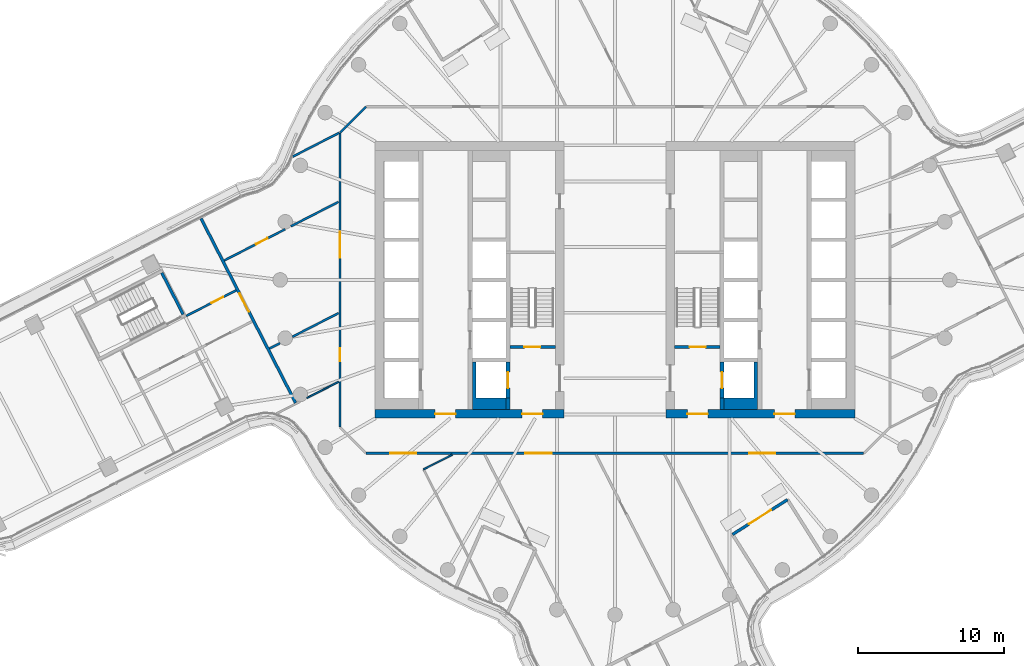
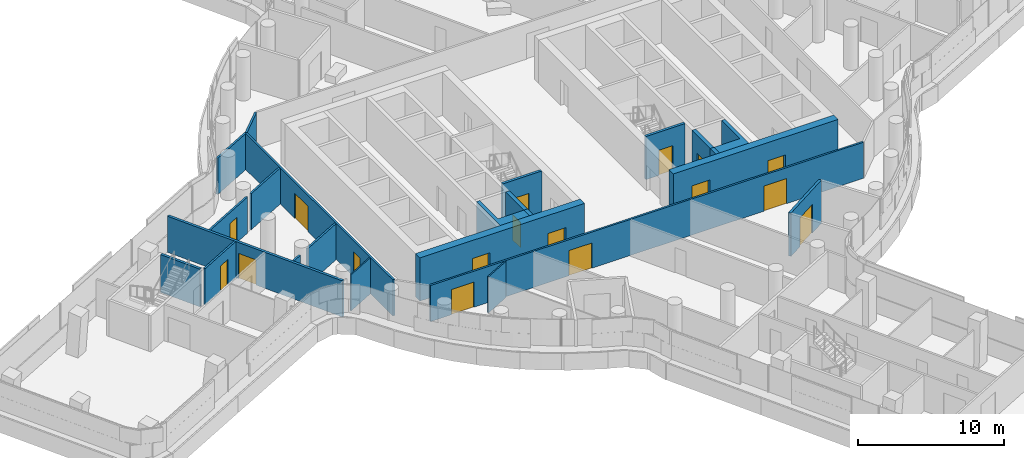
# One storey, part 23 of 37: 24 walls, 17 doors, 17 openings.
"""IFC4 building model written with IfcOpenShell, lengths in metres."""

from ifc_helpers import new_model, si_unit, direction, frame, frame_2d, origin, place, context, subcontext, project, spatial, polyline, rectangle, outline, extrude, material, layer, layer_set, type_object, element, fill, save


model = new_model("IFC4")

# Units and contexts
model_context = context("Model", 3, precision=1e-05, world=origin(), true_north=direction((0.0, 1.0)))
body_context = subcontext(model_context, "Body", "Model", "MODEL_VIEW")
ifc_project = project(units=[si_unit("LENGTHUNIT", "METRE"), si_unit("AREAUNIT", "SQUARE_METRE"), si_unit("VOLUMEUNIT", "CUBIC_METRE"), si_unit("PLANEANGLEUNIT", "RADIAN"), si_unit("MASSUNIT", "GRAM", prefix="KILO")], contexts=[model_context])

# Site, building, storey
site_placement = place(None, origin())
site = spatial("IfcSite", under=ifc_project, at=site_placement, CompositionType="ELEMENT")
building_placement = place(site_placement, origin())
building = spatial("IfcBuilding", under=site, at=building_placement, Name="Tamarind Cross Interchange Tower", CompositionType="ELEMENT")
storey_placement = place(building_placement, frame((0.0, 0.0, 133.0)))
storey = spatial("IfcBuildingStorey", under=building, at=storey_placement, Name="L32", CompositionType="ELEMENT", Elevation=133.0)

# Wall, opening, door
ifc_material_1 = material(Name="Concrete C40", Category="concrete")
ifc_layer_1 = layer(ifc_material_1, 0.199951171875)
ifc_layer_set_1 = layer_set([ifc_layer_1], Name="Concrete C40")
wall_type_1 = type_object("IfcWallType", Name="Balcony and garden door wall", PredefinedType="SOLIDWALL", material=ifc_layer_set_1)
wall_1_placement = place(storey_placement, frame((8.0732421875, -17.48193359375, 0.0), z_axis=(0.0, 0.0, 1.0), x_axis=(0.845417528595, 0.534105984187, 0.0)))
wall_1 = element("IfcWall", 1, at=wall_1_placement, inside=storey, type_object=wall_type_1, Name="EXW-L32-WG-L32-SE", PredefinedType="SOLIDWALL", context=body_context, shape_type="SweptSolid", body=[
    extrude(rectangle(XDim=4.470947265625, YDim=0.199951171875, at=frame_2d((2.2353515625, 0.0))), origin(), (0.0, 0.0, 1.0), 3.610107421875),
])
opening_1_placement = place(wall_1_placement, frame((1.33544921875, 0.0, 0.0)))
opening_1 = element("IfcOpeningElement", 2, at=opening_1_placement, cuts=wall_1, Name="Opening D5", PredefinedType="OPENING", context=body_context, shape_type="SweptSolid", body=[
    extrude(rectangle(XDim=1.800048828125, YDim=2.39990234375, at=frame_2d((0.89990234375, 1.199951171875))), frame((0.0, 0.10986328125, 0.0), z_axis=(0.0, -1.0, 0.0), x_axis=(1.0, 0.0, 0.0)), (0.0, 0.0, 1.0), 0.219970703125),
])
ifc_material_2 = material(Name="Aluminium and toughened glass", Category="aluminium")
door_type_1 = type_object("IfcDoorType", Name="Roof garden door", OperationType="DOUBLE_DOOR_SINGLE_SWING", PredefinedType="DOOR", material=ifc_material_2)
door_1_placement = place(opening_1_placement, origin())
door_1 = element("IfcDoor", 3, at=door_1_placement, inside=storey, type_object=door_type_1, Name="DOR-L32-WG-L32-SE", OperationType="SINGLE_SWING_LEFT", OverallHeight=2.39990234375, OverallWidth=1.800048828125, PredefinedType="DOOR", context=body_context, shape_type="SweptSolid", body=[
    extrude(rectangle(XDim=1.800048828125, YDim=2.39990234375, at=frame_2d((0.89990234375, 1.199951171875))), frame((0.0, 0.02490234375, 0.0), z_axis=(0.0, -1.0, 0.0), x_axis=(1.0, 0.0, 0.0)), (0.0, 0.0, 1.0), 0.050048828125),
])
fill(opening_1, door_1)

# Wall, openings, doors
ifc_material_3 = material(Name="Concrete C60", Category="concrete")
ifc_layer_2 = layer(ifc_material_3, 0.60009765625)
ifc_layer_set_2 = layer_set([ifc_layer_2], Name="Concrete C60")
wall_type_2 = type_object("IfcWallType", Name="Core wall 600 mm Concrete C60", PredefinedType="SHEAR", material=ifc_layer_set_2)
wall_2_placement = place(storey_placement, frame((-16.5, -9.199951171875, 0.0), z_axis=(0.0, 0.0, 1.0), x_axis=(1.0, 0.0, 0.0)))
wall_2 = element("IfcWall", 4, at=wall_2_placement, inside=storey, type_object=wall_type_2, Name="Core wall CWL-L32-W-S", PredefinedType="SHEAR", context=body_context, shape_type="SweptSolid", body=[
    extrude(rectangle(XDim=13.0, YDim=0.60009765625, at=frame_2d((6.5, 0.0))), origin(), (0.0, 0.0, 1.0), 3.610107421875),
])
opening_2_placement = place(wall_2_placement, frame((4.14990234375, 0.0, 0.0)))
opening_2 = element("IfcOpeningElement", 5, at=opening_2_placement, cuts=wall_2, Name="Opening DCW1", PredefinedType="OPENING", context=body_context, shape_type="SweptSolid", body=[
    extrude(rectangle(XDim=1.39990234375, YDim=2.10009765625, at=frame_2d((0.699951171875, 1.050048828125))), frame((0.0, 0.31005859375, 0.0), z_axis=(0.0, -1.0, 0.0), x_axis=(1.0, 0.0, 0.0)), (0.0, 0.0, 1.0), 0.6201171875),
])
opening_3_placement = place(wall_2_placement, frame((10.125, 0.0, 0.0)))
opening_3 = element("IfcOpeningElement", 6, at=opening_3_placement, cuts=wall_2, Name="Opening DCWF", PredefinedType="OPENING", context=body_context, shape_type="SweptSolid", body=[
    extrude(rectangle(XDim=1.39990234375, YDim=2.10009765625, at=frame_2d((0.699951171875, 1.050048828125))), frame((0.0, 0.31005859375, 0.0), z_axis=(0.0, -1.0, 0.0), x_axis=(1.0, 0.0, 0.0)), (0.0, 0.0, 1.0), 0.6201171875),
])
ifc_material_4 = material(Name="Steel, fire-resisting", Category="steel")
door_type_2 = type_object("IfcDoorType", Name="Core fire door 1400 x 2100 FD90", OperationType="SINGLE_SWING_LEFT", PredefinedType="DOOR", material=ifc_material_4)
door_2_placement = place(opening_2_placement, origin())
door_2 = element("IfcDoor", 7, at=door_2_placement, inside=storey, type_object=door_type_2, Name="L32 lift lobby door", OperationType="SINGLE_SWING_LEFT", OverallHeight=2.10009765625, OverallWidth=1.39990234375, PredefinedType="DOOR", context=body_context, shape_type="SweptSolid", body=[
    extrude(rectangle(XDim=1.39990234375, YDim=2.10009765625, at=frame_2d((0.699951171875, 1.050048828125))), frame((0.0, 0.02490234375, 0.0), z_axis=(0.0, -1.0, 0.0), x_axis=(1.0, 0.0, 0.0)), (0.0, 0.0, 1.0), 0.050048828125),
])
fill(opening_2, door_2)
door_3_placement = place(opening_3_placement, origin())
door_3 = element("IfcDoor", 8, at=door_3_placement, inside=storey, type_object=door_type_2, Name="L32 firefighting lobby end door", OperationType="SINGLE_SWING_LEFT", OverallHeight=2.10009765625, OverallWidth=1.39990234375, PredefinedType="DOOR", context=body_context, shape_type="SweptSolid", body=[
    extrude(rectangle(XDim=1.39990234375, YDim=2.10009765625, at=frame_2d((0.699951171875, 1.050048828125))), frame((0.0, 0.02490234375, 0.0), z_axis=(0.0, -1.0, 0.0), x_axis=(1.0, 0.0, 0.0)), (0.0, 0.0, 1.0), 0.050048828125),
])
fill(opening_3, door_3)

wall_3_placement = place(storey_placement, frame((16.5, -9.199951171875, 0.0), z_axis=(0.0, 0.0, 1.0), x_axis=(-1.0, 0.0, 0.0)))
wall_3 = element("IfcWall", 9, at=wall_3_placement, inside=storey, type_object=wall_type_2, Name="Core wall CWL-L32-E-S", PredefinedType="SHEAR", context=body_context, shape_type="SweptSolid", body=[
    extrude(rectangle(XDim=13.0, YDim=0.60009765625, at=frame_2d((6.5, 0.0))), origin(), (0.0, 0.0, 1.0), 3.610107421875),
])
opening_4_placement = place(wall_3_placement, frame((4.14990234375, 0.0, 0.0)))
opening_4 = element("IfcOpeningElement", 10, at=opening_4_placement, cuts=wall_3, Name="Opening DCE1", PredefinedType="OPENING", context=body_context, shape_type="SweptSolid", body=[
    extrude(rectangle(XDim=1.39990234375, YDim=2.10009765625, at=frame_2d((0.699951171875, 1.050048828125))), frame((0.0, 0.31005859375, 0.0), z_axis=(0.0, -1.0, 0.0), x_axis=(1.0, 0.0, 0.0)), (0.0, 0.0, 1.0), 0.6201171875),
])
opening_5_placement = place(wall_3_placement, frame((10.125, 0.0, 0.0)))
opening_5 = element("IfcOpeningElement", 11, at=opening_5_placement, cuts=wall_3, Name="Opening DCEF", PredefinedType="OPENING", context=body_context, shape_type="SweptSolid", body=[
    extrude(rectangle(XDim=1.39990234375, YDim=2.10009765625, at=frame_2d((0.699951171875, 1.050048828125))), frame((0.0, 0.31005859375, 0.0), z_axis=(0.0, -1.0, 0.0), x_axis=(1.0, 0.0, 0.0)), (0.0, 0.0, 1.0), 0.6201171875),
])
door_4_placement = place(opening_4_placement, origin())
door_4 = element("IfcDoor", 12, at=door_4_placement, inside=storey, type_object=door_type_2, Name="L32 lift lobby door", OperationType="SINGLE_SWING_LEFT", OverallHeight=2.10009765625, OverallWidth=1.39990234375, PredefinedType="DOOR", context=body_context, shape_type="SweptSolid", body=[
    extrude(rectangle(XDim=1.39990234375, YDim=2.10009765625, at=frame_2d((0.699951171875, 1.050048828125))), frame((0.0, 0.02490234375, 0.0), z_axis=(0.0, -1.0, 0.0), x_axis=(1.0, 0.0, 0.0)), (0.0, 0.0, 1.0), 0.050048828125),
])
fill(opening_4, door_4)
door_5_placement = place(opening_5_placement, origin())
door_5 = element("IfcDoor", 13, at=door_5_placement, inside=storey, type_object=door_type_2, Name="L32 firefighting lobby end door", OperationType="SINGLE_SWING_LEFT", OverallHeight=2.10009765625, OverallWidth=1.39990234375, PredefinedType="DOOR", context=body_context, shape_type="SweptSolid", body=[
    extrude(rectangle(XDim=1.39990234375, YDim=2.10009765625, at=frame_2d((0.699951171875, 1.050048828125))), frame((0.0, 0.02490234375, 0.0), z_axis=(0.0, -1.0, 0.0), x_axis=(1.0, 0.0, 0.0)), (0.0, 0.0, 1.0), 0.050048828125),
])
fill(opening_5, door_5)

# Walls
ifc_layer_3 = layer(ifc_material_3, 0.300048828125)
ifc_layer_set_3 = layer_set([ifc_layer_3], Name="Concrete C60")
wall_type_3 = type_object("IfcWallType", Name="Core web wall 300 mm Concrete C60", PredefinedType="SHEAR", material=ifc_layer_set_3)
wall_4_placement = place(storey_placement, origin())
element("IfcWall", 14, at=wall_4_placement, inside=storey, type_object=wall_type_3, Name="Core wall CWL-L32-W-BS", PredefinedType="SHEAR", context=body_context, shape_type="SweptSolid", body=[
    extrude(outline(polyline([(-7.5, -8.125), (-9.550048828125, -8.125), (-9.550048828125, -5.625), (-9.800048828125, -5.625), (-9.800048828125, -8.125), (-9.800048828125, -8.89990234375), (-7.5, -8.89990234375), (-7.5, -8.125)])), origin(), (0.0, 0.0, 1.0), 3.610107421875),
])
wall_5_placement = place(storey_placement, frame((-7.35009765625, -8.89990234375, 0.0), z_axis=(0.0, 0.0, 1.0), x_axis=(0.0, 1.0, 0.0)))
element("IfcWall", 15, at=wall_5_placement, inside=storey, type_object=wall_type_3, Name="Core wall CWL-L32-W-BW", PredefinedType="SHEAR", context=body_context, shape_type="SweptSolid", body=[
    extrude(rectangle(XDim=0.77490234375, YDim=0.300048828125, at=frame_2d((0.387451171875, 0.0))), origin(), (0.0, 0.0, 1.0), 3.610107421875),
])

# Wall, opening, door
wall_6_placement = place(storey_placement, frame((-7.35009765625, -8.125, 0.0), z_axis=(0.0, 0.0, 1.0), x_axis=(0.0, 1.0, 0.0)))
wall_6 = element("IfcWall", 16, at=wall_6_placement, inside=storey, type_object=wall_type_3, Name="Core wall CWL-L32-W-FF", PredefinedType="SHEAR", context=body_context, shape_type="SweptSolid", body=[
    extrude(rectangle(XDim=2.5, YDim=0.300048828125, at=frame_2d((1.25, 0.0))), origin(), (0.0, 0.0, 1.0), 3.610107421875),
])
opening_6_placement = place(wall_6_placement, frame((0.699951171875, 0.0, 0.0)))
opening_6 = element("IfcOpeningElement", 17, at=opening_6_placement, cuts=wall_6, Name="Opening LD7L32", PredefinedType="OPENING", context=body_context, shape_type="SweptSolid", body=[
    extrude(rectangle(XDim=1.10009765625, YDim=2.10009765625, at=frame_2d((0.550048828125, 1.050048828125))), frame((0.0, 0.159912109375, 0.0), z_axis=(0.0, -1.0, 0.0), x_axis=(1.0, 0.0, 0.0)), (0.0, 0.0, 1.0), 0.320068359375),
])
ifc_material_5 = material(Name="Stainless steel panel", Category="steel")
door_type_3 = type_object("IfcDoorType", Name="Lift landing door 1100 x 2100 E 120", OperationType="SLIDING_TO_LEFT", PredefinedType="DOOR", material=ifc_material_5)
door_6_placement = place(opening_6_placement, origin())
door_6 = element("IfcDoor", 18, at=door_6_placement, inside=storey, type_object=door_type_3, Name="L32 landing door LF7", OperationType="SLIDING_TO_LEFT", OverallHeight=2.10009765625, OverallWidth=1.10009765625, PredefinedType="DOOR", context=body_context, shape_type="SweptSolid", body=[
    extrude(rectangle(XDim=1.10009765625, YDim=2.10009765625, at=frame_2d((0.550048828125, 1.050048828125))), frame((0.0, 0.02490234375, 0.0), z_axis=(0.0, -1.0, 0.0), x_axis=(1.0, 0.0, 0.0)), (0.0, 0.0, 1.0), 0.050048828125),
])
fill(opening_6, door_6)

# Walls
wall_7_placement = place(storey_placement, origin())
element("IfcWall", 19, at=wall_7_placement, inside=storey, type_object=wall_type_3, Name="Core wall CWL-L32-E-BS", PredefinedType="SHEAR", context=body_context, shape_type="SweptSolid", body=[
    extrude(outline(polyline([(7.5, -8.125), (7.5, -8.89990234375), (9.800048828125, -8.89990234375), (9.800048828125, -8.125), (9.800048828125, -5.625), (9.550048828125, -5.625), (9.550048828125, -8.125), (7.5, -8.125)])), origin(), (0.0, 0.0, 1.0), 3.610107421875),
])
wall_8_placement = place(storey_placement, frame((7.35009765625, -8.89990234375, 0.0), z_axis=(0.0, 0.0, 1.0), x_axis=(0.0, 1.0, 0.0)))
element("IfcWall", 20, at=wall_8_placement, inside=storey, type_object=wall_type_3, Name="Core wall CWL-L32-E-BW", PredefinedType="SHEAR", context=body_context, shape_type="SweptSolid", body=[
    extrude(rectangle(XDim=0.77490234375, YDim=0.300048828125, at=frame_2d((0.387451171875, 0.0))), origin(), (0.0, 0.0, 1.0), 3.610107421875),
])

# Wall, opening, door
wall_9_placement = place(storey_placement, frame((7.35009765625, -8.125, 0.0), z_axis=(0.0, 0.0, 1.0), x_axis=(0.0, 1.0, 0.0)))
wall_9 = element("IfcWall", 21, at=wall_9_placement, inside=storey, type_object=wall_type_3, Name="Core wall CWL-L32-E-FF", PredefinedType="SHEAR", context=body_context, shape_type="SweptSolid", body=[
    extrude(rectangle(XDim=2.5, YDim=0.300048828125, at=frame_2d((1.25, 0.0))), origin(), (0.0, 0.0, 1.0), 3.610107421875),
])
opening_7_placement = place(wall_9_placement, frame((0.699951171875, 0.0, 0.0)))
opening_7 = element("IfcOpeningElement", 22, at=opening_7_placement, cuts=wall_9, Name="Opening LD19L32", PredefinedType="OPENING", context=body_context, shape_type="SweptSolid", body=[
    extrude(rectangle(XDim=1.10009765625, YDim=2.10009765625, at=frame_2d((0.550048828125, 1.050048828125))), frame((0.0, 0.159912109375, 0.0), z_axis=(0.0, -1.0, 0.0), x_axis=(1.0, 0.0, 0.0)), (0.0, 0.0, 1.0), 0.320068359375),
])
door_7_placement = place(opening_7_placement, origin())
door_7 = element("IfcDoor", 23, at=door_7_placement, inside=storey, type_object=door_type_3, Name="L32 landing door LF19", OperationType="SLIDING_TO_LEFT", OverallHeight=2.10009765625, OverallWidth=1.10009765625, PredefinedType="DOOR", context=body_context, shape_type="SweptSolid", body=[
    extrude(rectangle(XDim=1.10009765625, YDim=2.10009765625, at=frame_2d((0.550048828125, 1.050048828125))), frame((0.0, 0.02490234375, 0.0), z_axis=(0.0, -1.0, 0.0), x_axis=(1.0, 0.0, 0.0)), (0.0, 0.0, 1.0), 0.050048828125),
])
fill(opening_7, door_7)

# Walls
ifc_material_6 = material(Name="Gypsum board partition on steel studs", Category="steel")
ifc_layer_4 = layer(ifc_material_6, 0.10009765625)
ifc_layer_set_4 = layer_set([ifc_layer_4], Name="Gypsum board partition on steel studs")
wall_type_4 = type_object("IfcWallType", Name="Partition 100 mm EI 120", PredefinedType="PARTITIONING", material=ifc_layer_set_4)
wall_10_placement = place(storey_placement, frame((-13.153076171875, -13.013916015625, 0.0), z_axis=(0.0, 0.0, 1.0), x_axis=(0.889738452246, 0.456470685363, 0.0)))
element("IfcWall", 24, at=wall_10_placement, inside=storey, type_object=wall_type_4, Name="Partition L32-050", PredefinedType="PARTITIONING", context=body_context, shape_type="SweptSolid", body=[
    extrude(rectangle(XDim=2.22021484375, YDim=0.10009765625, at=frame_2d((1.110107421875, 0.0))), origin(), (0.0, 0.0, 1.0), 3.010009765625),
])
ifc_layer_5 = layer(ifc_material_6, 0.10009765625)
ifc_layer_set_5 = layer_set([ifc_layer_5], Name="Gypsum board partition on steel studs")
wall_type_5 = type_object("IfcWallType", Name="Partition 100 mm EI 90", PredefinedType="PARTITIONING", material=ifc_layer_set_5)
wall_11_placement = place(storey_placement, frame((-21.169677734375, -8.11572265625, 0.0), z_axis=(0.0, 0.0, 1.0), x_axis=(0.889716227949, 0.456514001675, 0.0)))
element("IfcWall", 25, at=wall_11_placement, inside=storey, type_object=wall_type_5, Name="Partition L32-045", PredefinedType="PARTITIONING", context=body_context, shape_type="SweptSolid", body=[
    extrude(rectangle(XDim=2.461181640625, YDim=0.10009765625, at=frame_2d((1.23046875, 0.0))), origin(), (0.0, 0.0, 1.0), 3.010009765625),
])

# Wall, openings, doors
ifc_layer_6 = layer(ifc_material_6, 0.14990234375)
ifc_layer_set_6 = layer_set([ifc_layer_6], Name="Gypsum board partition on steel studs")
wall_type_6 = type_object("IfcWallType", Name="Partition 150 mm EI 120", PredefinedType="PARTITIONING", material=ifc_layer_set_6)
wall_12_placement = place(storey_placement, frame((-17.10009765625, -11.89990234375, 0.0), z_axis=(0.0, 0.0, 1.0), x_axis=(1.0, 0.0, 0.0)))
wall_12 = element("IfcWall", 26, at=wall_12_placement, inside=storey, type_object=wall_type_6, Name="Partition L32-036", PredefinedType="PARTITIONING", context=body_context, shape_type="SweptSolid", body=[
    extrude(rectangle(XDim=34.1650390625, YDim=0.14990234375, at=frame_2d((17.08251953125, 0.0))), origin(), (0.0, 0.0, 1.0), 3.010009765625),
])
opening_8_placement = place(wall_12_placement, frame((10.946044921875, 0.0, 0.0)))
opening_8 = element("IfcOpeningElement", 27, at=opening_8_placement, cuts=wall_12, Name="Opening D21", PredefinedType="OPENING", context=body_context, shape_type="SweptSolid", body=[
    extrude(rectangle(XDim=1.800048828125, YDim=2.10009765625, at=frame_2d((0.89990234375, 1.050048828125))), frame((0.0, 0.0849609375, 0.0), z_axis=(0.0, -1.0, 0.0), x_axis=(1.0, 0.0, 0.0)), (0.0, 0.0, 1.0), 0.169921875),
])
opening_9_placement = place(wall_12_placement, frame((1.64990234375, 0.0, 0.0)))
opening_9 = element("IfcOpeningElement", 28, at=opening_9_placement, cuts=wall_12, Name="Opening D22", PredefinedType="OPENING", context=body_context, shape_type="SweptSolid", body=[
    extrude(rectangle(XDim=1.800048828125, YDim=2.10009765625, at=frame_2d((0.89990234375, 1.050048828125))), frame((0.0, 0.0849609375, 0.0), z_axis=(0.0, -1.0, 0.0), x_axis=(1.0, 0.0, 0.0)), (0.0, 0.0, 1.0), 0.169921875),
])
opening_10_placement = place(wall_12_placement, frame((26.30908203125, 0.0, 0.0)))
opening_10 = element("IfcOpeningElement", 29, at=opening_10_placement, cuts=wall_12, Name="Opening D23", PredefinedType="OPENING", context=body_context, shape_type="SweptSolid", body=[
    extrude(rectangle(XDim=1.800048828125, YDim=2.10009765625, at=frame_2d((0.89990234375, 1.050048828125))), frame((0.0, 0.0849609375, 0.0), z_axis=(0.0, -1.0, 0.0), x_axis=(1.0, 0.0, 0.0)), (0.0, 0.0, 1.0), 0.169921875),
])
ifc_material_7 = material(Name="Fire-resisting door set")
door_type_4 = type_object("IfcDoorType", Name="Interior door 1800 x 2100 FD60S", OperationType="DOUBLE_DOOR_SINGLE_SWING", PredefinedType="DOOR", material=ifc_material_7)
door_8_placement = place(opening_8_placement, origin())
door_8 = element("IfcDoor", 30, at=door_8_placement, inside=storey, type_object=door_type_4, Name="Door D21", OperationType="DOUBLE_DOOR_SINGLE_SWING", OverallHeight=2.10009765625, OverallWidth=1.800048828125, PredefinedType="DOOR", context=body_context, shape_type="SweptSolid", body=[
    extrude(rectangle(XDim=1.800048828125, YDim=2.10009765625, at=frame_2d((0.89990234375, 1.050048828125))), frame((0.0, 0.02490234375, 0.0), z_axis=(0.0, -1.0, 0.0), x_axis=(1.0, 0.0, 0.0)), (0.0, 0.0, 1.0), 0.050048828125),
])
fill(opening_8, door_8)
door_9_placement = place(opening_9_placement, frame((1.800048828125, 0.0, 0.0), z_axis=(0.0, 0.0, 1.0), x_axis=(-1.0, 0.0, 0.0)))
door_9 = element("IfcDoor", 31, at=door_9_placement, inside=storey, type_object=door_type_4, Name="Door D22", OperationType="DOUBLE_DOOR_SINGLE_SWING", OverallHeight=2.10009765625, OverallWidth=1.800048828125, PredefinedType="DOOR", context=body_context, shape_type="SweptSolid", body=[
    extrude(rectangle(XDim=1.800048828125, YDim=2.10009765625, at=frame_2d((0.89990234375, 1.050048828125))), frame((0.0, 0.02490234375, 0.0), z_axis=(0.0, -1.0, 0.0), x_axis=(1.0, 0.0, 0.0)), (0.0, 0.0, 1.0), 0.050048828125),
])
fill(opening_9, door_9)
door_10_placement = place(opening_10_placement, frame((1.800048828125, 0.0, 0.0), z_axis=(0.0, 0.0, 1.0), x_axis=(-1.0, 0.0, 0.0)))
door_10 = element("IfcDoor", 32, at=door_10_placement, inside=storey, type_object=door_type_4, Name="Door D23", OperationType="DOUBLE_DOOR_SINGLE_SWING", OverallHeight=2.10009765625, OverallWidth=1.800048828125, PredefinedType="DOOR", context=body_context, shape_type="SweptSolid", body=[
    extrude(rectangle(XDim=1.800048828125, YDim=2.10009765625, at=frame_2d((0.89990234375, 1.050048828125))), frame((0.0, 0.02490234375, 0.0), z_axis=(0.0, -1.0, 0.0), x_axis=(1.0, 0.0, 0.0)), (0.0, 0.0, 1.0), 0.050048828125),
])
fill(opening_10, door_10)

# Wall, opening, door
wall_13_placement = place(storey_placement, frame((-29.4521484375, -2.47509765625, 0.0), z_axis=(0.0, 0.0, 1.0), x_axis=(0.889671887014, 0.456600408954, 0.0)))
wall_13 = element("IfcWall", 33, at=wall_13_placement, inside=storey, type_object=wall_type_6, Name="Partition L32-039", PredefinedType="PARTITIONING", context=body_context, shape_type="SweptSolid", body=[
    extrude(rectangle(XDim=3.85986328125, YDim=0.14990234375, at=frame_2d((1.929931640625, 0.0))), origin(), (0.0, 0.0, 1.0), 3.010009765625),
])
opening_11_placement = place(wall_13_placement, frame((1.949951171875, 0.0, 0.0)))
opening_11 = element("IfcOpeningElement", 34, at=opening_11_placement, cuts=wall_13, Name="Opening D29", PredefinedType="OPENING", context=body_context, shape_type="SweptSolid", body=[
    extrude(rectangle(XDim=0.89990234375, YDim=2.10009765625, at=frame_2d((0.449951171875, 1.050048828125))), frame((0.0, 0.0849609375, 0.0), z_axis=(0.0, -1.0, 0.0), x_axis=(1.0, 0.0, 0.0)), (0.0, 0.0, 1.0), 0.169921875),
])
door_type_5 = type_object("IfcDoorType", Name="Interior door 900 x 2100 FD60S", OperationType="SINGLE_SWING_LEFT", PredefinedType="DOOR", material=ifc_material_7)
door_11_placement = place(opening_11_placement, origin())
door_11 = element("IfcDoor", 35, at=door_11_placement, inside=storey, type_object=door_type_5, Name="Door D29", OperationType="SINGLE_SWING_LEFT", OverallHeight=2.10009765625, OverallWidth=0.89990234375, PredefinedType="DOOR", context=body_context, shape_type="SweptSolid", body=[
    extrude(rectangle(XDim=0.89990234375, YDim=2.10009765625, at=frame_2d((0.449951171875, 1.050048828125))), frame((0.0, 0.02490234375, 0.0), z_axis=(0.0, -1.0, 0.0), x_axis=(1.0, 0.0, 0.0)), (0.0, 0.0, 1.0), 0.050048828125),
])
fill(opening_11, door_11)

wall_14_placement = place(storey_placement, frame((-26.843994140625, 1.335693359375, 0.0), z_axis=(0.0, 0.0, 1.0), x_axis=(0.889711625335, 0.456522971759, 0.0)))
wall_14 = element("IfcWall", 36, at=wall_14_placement, inside=storey, type_object=wall_type_6, Name="Partition L32-040", PredefinedType="PARTITIONING", context=body_context, shape_type="SweptSolid", body=[
    extrude(rectangle(XDim=4.708251953125, YDim=0.14990234375, at=frame_2d((2.35400390625, 0.0))), origin(), (0.0, 0.0, 1.0), 3.010009765625),
])
opening_12_placement = place(wall_14_placement, frame((2.449951171875, 0.0, 0.0)))
opening_12 = element("IfcOpeningElement", 37, at=opening_12_placement, cuts=wall_14, Name="Opening D30", PredefinedType="OPENING", context=body_context, shape_type="SweptSolid", body=[
    extrude(rectangle(XDim=0.89990234375, YDim=2.10009765625, at=frame_2d((0.449951171875, 1.050048828125))), frame((0.0, 0.0849609375, 0.0), z_axis=(0.0, -1.0, 0.0), x_axis=(1.0, 0.0, 0.0)), (0.0, 0.0, 1.0), 0.169921875),
])
door_12_placement = place(opening_12_placement, origin())
door_12 = element("IfcDoor", 38, at=door_12_placement, inside=storey, type_object=door_type_5, Name="Door D30", OperationType="SINGLE_SWING_LEFT", OverallHeight=2.10009765625, OverallWidth=0.89990234375, PredefinedType="DOOR", context=body_context, shape_type="SweptSolid", body=[
    extrude(rectangle(XDim=0.89990234375, YDim=2.10009765625, at=frame_2d((0.449951171875, 1.050048828125))), frame((0.0, 0.02490234375, 0.0), z_axis=(0.0, -1.0, 0.0), x_axis=(1.0, 0.0, 0.0)), (0.0, 0.0, 1.0), 0.050048828125),
])
fill(opening_12, door_12)

# Walls
wall_15_placement = place(storey_placement, frame((-22.260009765625, 3.68798828125, 0.0), z_axis=(0.0, 0.0, 1.0), x_axis=(0.889723982038, 0.45649888914, 0.0)))
element("IfcWall", 39, at=wall_15_placement, inside=storey, type_object=wall_type_6, Name="Partition L32-041", PredefinedType="PARTITIONING", context=body_context, shape_type="SweptSolid", body=[
    extrude(rectangle(XDim=3.67138671875, YDim=0.14990234375, at=frame_2d((1.835693359375, 0.0))), origin(), (0.0, 0.0, 1.0), 3.010009765625),
])
wall_16_placement = place(storey_placement, frame((-23.735595703125, -4.712158203125, 0.0), z_axis=(0.0, 0.0, 1.0), x_axis=(0.889684437698, 0.456575953503, 0.0)))
element("IfcWall", 40, at=wall_16_placement, inside=storey, type_object=wall_type_6, Name="Partition L32-042", PredefinedType="PARTITIONING", context=body_context, shape_type="SweptSolid", body=[
    extrude(rectangle(XDim=0.82177734375, YDim=0.14990234375, at=frame_2d((0.410888671875, 0.0))), origin(), (0.0, 0.0, 1.0), 3.010009765625),
])
wall_17_placement = place(storey_placement, frame((-22.164306640625, -3.90576171875, 0.0), z_axis=(0.0, 0.0, 1.0), x_axis=(0.889720446933, 0.456505779054, 0.0)))
element("IfcWall", 41, at=wall_17_placement, inside=storey, type_object=wall_type_6, Name="Partition L32-043", PredefinedType="PARTITIONING", context=body_context, shape_type="SweptSolid", body=[
    extrude(rectangle(XDim=3.56396484375, YDim=0.14990234375, at=frame_2d((1.781982421875, 0.0))), origin(), (0.0, 0.0, 1.0), 3.010009765625),
])
wall_18_placement = place(storey_placement, frame((-22.1298828125, 8.4755859375, 0.0), z_axis=(0.0, 0.0, 1.0), x_axis=(0.889666890189, 0.456610144984, 0.0)))
element("IfcWall", 42, at=wall_18_placement, inside=storey, type_object=wall_type_6, Name="Partition L32-046", PredefinedType="PARTITIONING", context=body_context, shape_type="SweptSolid", body=[
    extrude(rectangle(XDim=3.5966796875, YDim=0.14990234375, at=frame_2d((1.79833984375, 0.0))), origin(), (0.0, 0.0, 1.0), 3.010009765625),
])
wall_19_placement = place(storey_placement, frame((-18.87158203125, 10.12841796875, 0.0), z_axis=(0.0, 0.0, 1.0), x_axis=(0.707106781187, 0.707106781187, 0.0)))
element("IfcWall", 43, at=wall_19_placement, inside=storey, type_object=wall_type_6, Name="Partition L32-076", PredefinedType="PARTITIONING", context=body_context, shape_type="SweptSolid", body=[
    extrude(rectangle(XDim=2.50537109375, YDim=0.14990234375, at=frame_2d((1.252685546875, 0.0))), origin(), (0.0, 0.0, 1.0), 3.010009765625),
])

# Wall, openings, doors
wall_20_placement = place(storey_placement, frame((-18.89990234375, -10.10009765625, 0.0), z_axis=(0.0, 0.0, 1.0), x_axis=(0.0, 1.0, 0.0)))
wall_20 = element("IfcWall", 44, at=wall_20_placement, inside=storey, type_object=wall_type_6, Name="Partition L32-078", PredefinedType="PARTITIONING", context=body_context, shape_type="SweptSolid", body=[
    extrude(rectangle(XDim=20.2001953125, YDim=0.14990234375, at=frame_2d((10.10009765625, 0.0))), origin(), (0.0, 0.0, 1.0), 3.010009765625),
])
opening_13_placement = place(wall_20_placement, frame((11.618896484375, 0.0, 0.0)))
opening_13 = element("IfcOpeningElement", 45, at=opening_13_placement, cuts=wall_20, Name="Opening D40", PredefinedType="OPENING", context=body_context, shape_type="SweptSolid", body=[
    extrude(rectangle(XDim=1.800048828125, YDim=2.10009765625, at=frame_2d((0.89990234375, 1.050048828125))), frame((0.0, 0.0849609375, 0.0), z_axis=(0.0, -1.0, 0.0), x_axis=(1.0, 0.0, 0.0)), (0.0, 0.0, 1.0), 0.169921875),
])
opening_14_placement = place(wall_20_placement, frame((4.4990234375, 0.0, 0.0)))
opening_14 = element("IfcOpeningElement", 46, at=opening_14_placement, cuts=wall_20, Name="Opening D41", PredefinedType="OPENING", context=body_context, shape_type="SweptSolid", body=[
    extrude(rectangle(XDim=0.89990234375, YDim=2.10009765625, at=frame_2d((0.449951171875, 1.050048828125))), frame((0.0, 0.0849609375, 0.0), z_axis=(0.0, -1.0, 0.0), x_axis=(1.0, 0.0, 0.0)), (0.0, 0.0, 1.0), 0.169921875),
])
door_13_placement = place(opening_13_placement, frame((1.800048828125, 0.0, 0.0), z_axis=(0.0, 0.0, 1.0), x_axis=(-1.0, 0.0, 0.0)))
door_13 = element("IfcDoor", 47, at=door_13_placement, inside=storey, type_object=door_type_4, Name="Door D40", OperationType="DOUBLE_DOOR_SINGLE_SWING", OverallHeight=2.10009765625, OverallWidth=1.800048828125, PredefinedType="DOOR", context=body_context, shape_type="SweptSolid", body=[
    extrude(rectangle(XDim=1.800048828125, YDim=2.10009765625, at=frame_2d((0.89990234375, 1.050048828125))), frame((0.0, 0.02490234375, 0.0), z_axis=(0.0, -1.0, 0.0), x_axis=(1.0, 0.0, 0.0)), (0.0, 0.0, 1.0), 0.050048828125),
])
fill(opening_13, door_13)
door_14_placement = place(opening_14_placement, origin())
door_14 = element("IfcDoor", 48, at=door_14_placement, inside=storey, type_object=door_type_5, Name="Door D41", OperationType="SINGLE_SWING_RIGHT", OverallHeight=2.10009765625, OverallWidth=0.89990234375, PredefinedType="DOOR", context=body_context, shape_type="SweptSolid", body=[
    extrude(rectangle(XDim=0.89990234375, YDim=2.10009765625, at=frame_2d((0.449951171875, 1.050048828125))), frame((0.0, 0.02490234375, 0.0), z_axis=(0.0, -1.0, 0.0), x_axis=(1.0, 0.0, 0.0)), (0.0, 0.0, 1.0), 0.050048828125),
])
fill(opening_14, door_14)

# Wall, opening, door
ifc_layer_7 = layer(ifc_material_6, 0.199951171875)
ifc_layer_set_7 = layer_set([ifc_layer_7], Name="Gypsum board partition on steel studs")
wall_type_7 = type_object("IfcWallType", Name="Partition 200 mm EI 180", PredefinedType="PARTITIONING", material=ifc_layer_set_7)
wall_21_placement = place(storey_placement, frame((-28.439453125, 4.22509765625, 0.0), z_axis=(0.0, 0.0, 1.0), x_axis=(0.456564117727, -0.889690511585, 0.0)))
wall_21 = element("IfcWall", 49, at=wall_21_placement, inside=storey, type_object=wall_type_7, Name="Partition L32-005", PredefinedType="PARTITIONING", context=body_context, shape_type="SweptSolid", body=[
    extrude(rectangle(XDim=14.239501953125, YDim=0.199951171875, at=frame_2d((7.11962890625, 0.0))), origin(), (0.0, 0.0, 1.0), 3.010009765625),
])
opening_15_placement = place(wall_21_placement, frame((5.798583984375, 0.0, 0.0)))
opening_15 = element("IfcOpeningElement", 50, at=opening_15_placement, cuts=wall_21, Name="Opening D02", PredefinedType="OPENING", context=body_context, shape_type="SweptSolid", body=[
    extrude(rectangle(XDim=1.39990234375, YDim=2.10009765625, at=frame_2d((0.699951171875, 1.050048828125))), frame((0.0, 0.10986328125, 0.0), z_axis=(0.0, -1.0, 0.0), x_axis=(1.0, 0.0, 0.0)), (0.0, 0.0, 1.0), 0.219970703125),
])
door_type_6 = type_object("IfcDoorType", Name="Interior door 1400 x 2100 FD120S", OperationType="DOUBLE_DOOR_SINGLE_SWING", PredefinedType="DOOR", material=ifc_material_7)
door_15_placement = place(opening_15_placement, origin())
door_15 = element("IfcDoor", 51, at=door_15_placement, inside=storey, type_object=door_type_6, Name="Door D02", OperationType="DOUBLE_DOOR_SINGLE_SWING", OverallHeight=2.10009765625, OverallWidth=1.39990234375, PredefinedType="DOOR", context=body_context, shape_type="SweptSolid", body=[
    extrude(rectangle(XDim=1.39990234375, YDim=2.10009765625, at=frame_2d((0.699951171875, 1.050048828125))), frame((0.0, 0.02490234375, 0.0), z_axis=(0.0, -1.0, 0.0), x_axis=(1.0, 0.0, 0.0)), (0.0, 0.0, 1.0), 0.050048828125),
])
fill(opening_15, door_15)

ifc_layer_8 = layer(ifc_material_1, 0.199951171875)
ifc_layer_set_8 = layer_set([ifc_layer_8], Name="Concrete C40")
wall_type_8 = type_object("IfcWallType", Name="Stair shaft wall 200 mm Concrete C40", PredefinedType="SHEAR", material=ifc_layer_set_8)
wall_22_placement = place(storey_placement, frame((-7.199951171875, -4.60009765625, 0.0), z_axis=(0.0, 0.0, 1.0), x_axis=(1.0, 0.0, 0.0)))
wall_22 = element("IfcWall", 52, at=wall_22_placement, inside=storey, type_object=wall_type_8, Name="Core wall CWL-L32-W-SD", PredefinedType="SHEAR", context=body_context, shape_type="SweptSolid", body=[
    extrude(rectangle(XDim=3.099853515625, YDim=0.199951171875, at=frame_2d((1.5498046875, 0.0))), origin(), (0.0, 0.0, 1.0), 3.610107421875),
])
opening_16_placement = place(wall_22_placement, frame((0.97509765625, 0.0, 0.0)))
opening_16 = element("IfcOpeningElement", 53, at=opening_16_placement, cuts=wall_22, Name="Opening DCW6", PredefinedType="OPENING", context=body_context, shape_type="SweptSolid", body=[
    extrude(rectangle(XDim=1.10009765625, YDim=2.10009765625, at=frame_2d((0.550048828125, 1.050048828125))), frame((0.0, 0.10986328125, 0.0), z_axis=(0.0, -1.0, 0.0), x_axis=(1.0, 0.0, 0.0)), (0.0, 0.0, 1.0), 0.219970703125),
])
door_type_7 = type_object("IfcDoorType", Name="Core fire door 1100 x 2100 FD90", OperationType="SINGLE_SWING_LEFT", PredefinedType="DOOR", material=ifc_material_4)
door_16_placement = place(opening_16_placement, origin())
door_16 = element("IfcDoor", 54, at=door_16_placement, inside=storey, type_object=door_type_7, Name="L32 stair door", OperationType="SINGLE_SWING_LEFT", OverallHeight=2.10009765625, OverallWidth=1.10009765625, PredefinedType="DOOR", context=body_context, shape_type="SweptSolid", body=[
    extrude(rectangle(XDim=1.10009765625, YDim=2.10009765625, at=frame_2d((0.550048828125, 1.050048828125))), frame((0.0, 0.02490234375, 0.0), z_axis=(0.0, -1.0, 0.0), x_axis=(1.0, 0.0, 0.0)), (0.0, 0.0, 1.0), 0.050048828125),
])
fill(opening_16, door_16)

wall_23_placement = place(storey_placement, frame((7.199951171875, -4.60009765625, 0.0), z_axis=(0.0, 0.0, 1.0), x_axis=(-1.0, 0.0, 0.0)))
wall_23 = element("IfcWall", 55, at=wall_23_placement, inside=storey, type_object=wall_type_8, Name="Core wall CWL-L32-E-SD", PredefinedType="SHEAR", context=body_context, shape_type="SweptSolid", body=[
    extrude(rectangle(XDim=3.099853515625, YDim=0.199951171875, at=frame_2d((1.5498046875, 0.0))), origin(), (0.0, 0.0, 1.0), 3.610107421875),
])
opening_17_placement = place(wall_23_placement, frame((0.97509765625, 0.0, 0.0)))
opening_17 = element("IfcOpeningElement", 56, at=opening_17_placement, cuts=wall_23, Name="Opening DCE6", PredefinedType="OPENING", context=body_context, shape_type="SweptSolid", body=[
    extrude(rectangle(XDim=1.10009765625, YDim=2.10009765625, at=frame_2d((0.550048828125, 1.050048828125))), frame((0.0, 0.10986328125, 0.0), z_axis=(0.0, -1.0, 0.0), x_axis=(1.0, 0.0, 0.0)), (0.0, 0.0, 1.0), 0.219970703125),
])
door_17_placement = place(opening_17_placement, origin())
door_17 = element("IfcDoor", 57, at=door_17_placement, inside=storey, type_object=door_type_7, Name="L32 stair door", OperationType="SINGLE_SWING_LEFT", OverallHeight=2.10009765625, OverallWidth=1.10009765625, PredefinedType="DOOR", context=body_context, shape_type="SweptSolid", body=[
    extrude(rectangle(XDim=1.10009765625, YDim=2.10009765625, at=frame_2d((0.550048828125, 1.050048828125))), frame((0.0, 0.02490234375, 0.0), z_axis=(0.0, -1.0, 0.0), x_axis=(1.0, 0.0, 0.0)), (0.0, 0.0, 1.0), 0.050048828125),
])
fill(opening_17, door_17)

# Wall
wall_24_placement = place(storey_placement, frame((-31.128662109375, 0.48583984375, -0.139892578125), z_axis=(0.0, 0.0, 1.0), x_axis=(0.456558269459, -0.889693512727, 0.0)))
element("IfcWall", 58, at=wall_24_placement, inside=storey, type_object=wall_type_8, Name="Core wall CWL-L32-ST5-CE", PredefinedType="SHEAR", context=body_context, shape_type="SweptSolid", body=[
    extrude(rectangle(XDim=3.199951171875, YDim=0.199951171875, at=frame_2d((1.60009765625, 0.0))), origin(), (0.0, 0.0, 1.0), 3.14990234375),
])

save(model, "model.ifc")
